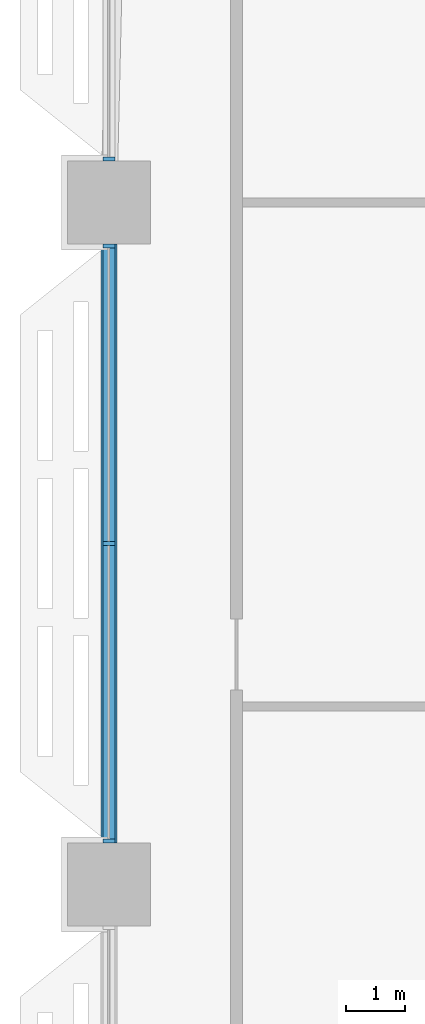
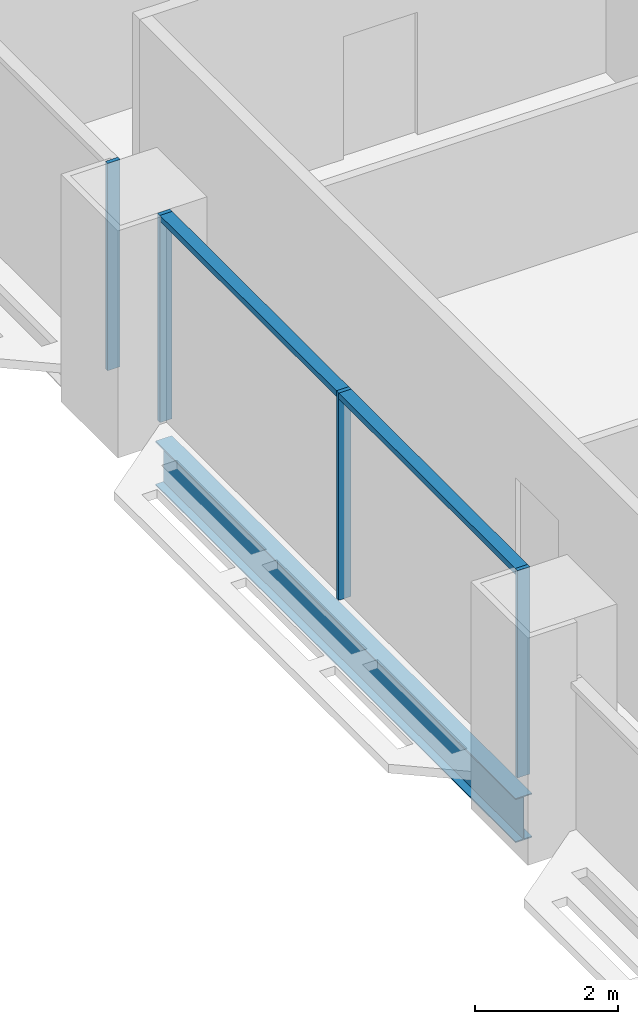
# One storey, part 4 of 29: 6 members, 1 beam, 2 elements without a shape of their own.
"""IFC4 building model written with IfcOpenShell, lengths in metres."""

from ifc_helpers import new_model, si_unit, direction, frame, origin, origin_2d, place, context, subcontext, project, spatial, rectangle, i_section, extrude, material, material_profile, profile_set, type_object, element, aggregate, save


model = new_model("IFC4")

# Units and contexts
model_context = context("Model", 3, precision=1e-05, world=origin(), true_north=direction((0.0, 1.0)))
body_context = subcontext(model_context, "Body", "Model", "MODEL_VIEW")
ifc_project = project(units=[si_unit("LENGTHUNIT", "METRE"), si_unit("AREAUNIT", "SQUARE_METRE"), si_unit("VOLUMEUNIT", "CUBIC_METRE"), si_unit("PLANEANGLEUNIT", "RADIAN"), si_unit("MASSUNIT", "GRAM", prefix="KILO")], contexts=[model_context])

# Site, building, storey
site_placement = place(None, origin())
site = spatial("IfcSite", under=ifc_project, at=site_placement, CompositionType="ELEMENT")
building_placement = place(site_placement, origin())
building = spatial("IfcBuilding", under=site, at=building_placement, Name="Mahtab Terrace Research Tower", CompositionType="ELEMENT")
storey_placement = place(building_placement, frame((0.0, 0.0, 113.5)))
storey = spatial("IfcBuildingStorey", under=building, at=storey_placement, Name="L26", CompositionType="ELEMENT", Elevation=113.5)

# Curtain wall, member
ifc_material_1 = material(Name="Laboratory ribbon curtain wall")
curtain_wall_type = type_object("IfcCurtainWallType", Name="Laboratory ribbon curtain wall", PredefinedType="NOTDEFINED", material=ifc_material_1)
curtain_wall_1_placement = place(storey_placement, origin())
curtain_wall_1 = element("IfcCurtainWall", 1, at=curtain_wall_1_placement, inside=storey, type_object=curtain_wall_type, Name="EN.L26.8.16", PredefinedType="NOTDEFINED")
ifc_material_2 = material(Name="Natural anodised aluminium", Category="aluminium")
ifc_material_profile_1 = material_profile(ifc_material_2, rectangle(XDim=0.199951171875, YDim=0.06494140625, at=origin_2d()), Name="MULLION 65x200")
ifc_profile_set_1 = profile_set([ifc_material_profile_1], Name="Natural anodised aluminium")
member_type_1 = type_object("IfcMemberType", Name="Laboratory ribbon curtain wall mullion", PredefinedType="MULLION", material=ifc_profile_set_1)
member_1_placement = place(storey_placement, frame((-42.0, 12.232421875, 0.0), z_axis=(0.0, 0.0, 1.0), x_axis=(1.0, 0.0, 0.0)))
member_1 = element("IfcMember", 2, at=member_1_placement, type_object=member_type_1, Name="CWL-3 mullion 3", PredefinedType="MULLION", context=body_context, shape_type="SweptSolid", body=[
    extrude(rectangle(XDim=0.199951171875, YDim=0.06494140625, at=origin_2d()), origin(), (0.0, 0.0, 1.0), 3.550048828125),
])
aggregate(curtain_wall_1, [member_1])

# Curtain wall, members
curtain_wall_2_placement = place(storey_placement, origin())
curtain_wall_2 = element("IfcCurtainWall", 3, at=curtain_wall_2_placement, inside=storey, type_object=curtain_wall_type, Name="EN.L26.8.17", PredefinedType="NOTDEFINED")
member_2_placement = place(storey_placement, frame((-42.0, 10.767578125, 0.0), z_axis=(0.0, 0.0, 1.0), x_axis=(1.0, 0.0, 0.0)))
member_2 = element("IfcMember", 4, at=member_2_placement, type_object=member_type_1, Name="CWL-3 mullion 1", PredefinedType="MULLION", context=body_context, shape_type="SweptSolid", body=[
    extrude(rectangle(XDim=0.199951171875, YDim=0.06494140625, at=origin_2d()), origin(), (0.0, 0.0, 1.0), 3.550048828125),
])
member_3_placement = place(storey_placement, frame((-42.0, 5.75, 0.0), z_axis=(0.0, 0.0, 1.0), x_axis=(1.0, 0.0, 0.0)))
member_3 = element("IfcMember", 5, at=member_3_placement, type_object=member_type_1, Name="CWL-3 mullion 2", PredefinedType="MULLION", context=body_context, shape_type="SweptSolid", body=[
    extrude(rectangle(XDim=0.199951171875, YDim=0.06494140625, at=origin_2d()), origin(), (0.0, 0.0, 1.0), 3.550048828125),
])
member_4_placement = place(storey_placement, frame((-42.0, 0.732421875, 0.0), z_axis=(0.0, 0.0, 1.0), x_axis=(1.0, 0.0, 0.0)))
member_4 = element("IfcMember", 6, at=member_4_placement, type_object=member_type_1, Name="CWL-3 mullion 3", PredefinedType="MULLION", context=body_context, shape_type="SweptSolid", body=[
    extrude(rectangle(XDim=0.199951171875, YDim=0.06494140625, at=origin_2d()), origin(), (0.0, 0.0, 1.0), 3.550048828125),
])
ifc_material_profile_2 = material_profile(ifc_material_2, rectangle(XDim=0.199951171875, YDim=0.10009765625, at=origin_2d()), Name="TRANSOM 100x200")
ifc_profile_set_2 = profile_set([ifc_material_profile_2], Name="Natural anodised aluminium")
member_type_2 = type_object("IfcMemberType", Name="Laboratory ribbon curtain wall transom", PredefinedType="USERDEFINED", material=ifc_profile_set_2)
member_5_placement = place(storey_placement, frame((-42.0, 10.735107421875, 3.5), z_axis=(0.0, -1.0, 0.0), x_axis=(1.0, 0.0, 0.0)))
member_5 = element("IfcMember", 7, at=member_5_placement, type_object=member_type_2, Name="CWL-3 transom 1", ObjectType="TRANSOM", PredefinedType="USERDEFINED", context=body_context, shape_type="SweptSolid", body=[
    extrude(rectangle(XDim=0.199951171875, YDim=0.10009765625, at=origin_2d()), origin(), (0.0, 0.0, 1.0), 4.95263671875),
])
member_6_placement = place(storey_placement, frame((-42.0, 5.717529296875, 3.5), z_axis=(0.0, -1.0, 0.0), x_axis=(1.0, 0.0, 0.0)))
member_6 = element("IfcMember", 8, at=member_6_placement, type_object=member_type_2, Name="CWL-3 transom 2", ObjectType="TRANSOM", PredefinedType="USERDEFINED", context=body_context, shape_type="SweptSolid", body=[
    extrude(rectangle(XDim=0.199951171875, YDim=0.10009765625, at=origin_2d()), origin(), (0.0, 0.0, 1.0), 4.95263671875),
])
aggregate(curtain_wall_2, [member_2, member_3, member_4, member_5, member_6])

# Beam
ifc_material_3 = material(Name="Steel ASTM A992 Gr 50", Category="steel")
ifc_material_profile_3 = material_profile(ifc_material_3, i_section(OverallWidth=0.2666015625, OverallDepth=0.7568359375, WebThickness=0.013916015625, FlangeThickness=0.019287109375, at=origin_2d()), Name="W30X108")
ifc_profile_set_3 = profile_set([ifc_material_profile_3], Name="Steel ASTM A992 Gr 50")
beam_type = type_object("IfcBeamType", Name="W30x108 beam BS30108", PredefinedType="BEAM", material=ifc_profile_set_3)
beam_placement = place(storey_placement, frame((-42.0, 10.800048828125, -0.718505859375), z_axis=(0.0, -1.0, 0.0), x_axis=(1.0, 0.0, 0.0)))
element("IfcBeam", 9, at=beam_placement, inside=storey, type_object=beam_type, Name="Spandrel beam L26 10", PredefinedType="BEAM", context=body_context, shape_type="SweptSolid", body=[
    extrude(i_section(OverallWidth=0.2666015625, OverallDepth=0.7568359375, WebThickness=0.013916015625, FlangeThickness=0.019287109375, at=origin_2d()), origin(), (0.0, 0.0, 1.0), 10.10009765625),
])

save(model, "model.ifc")
